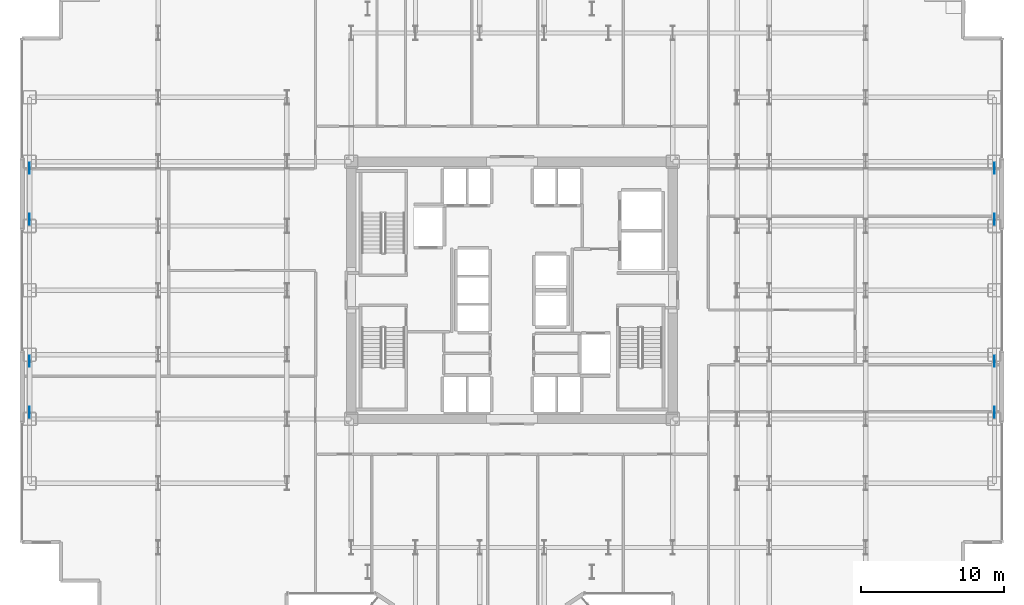
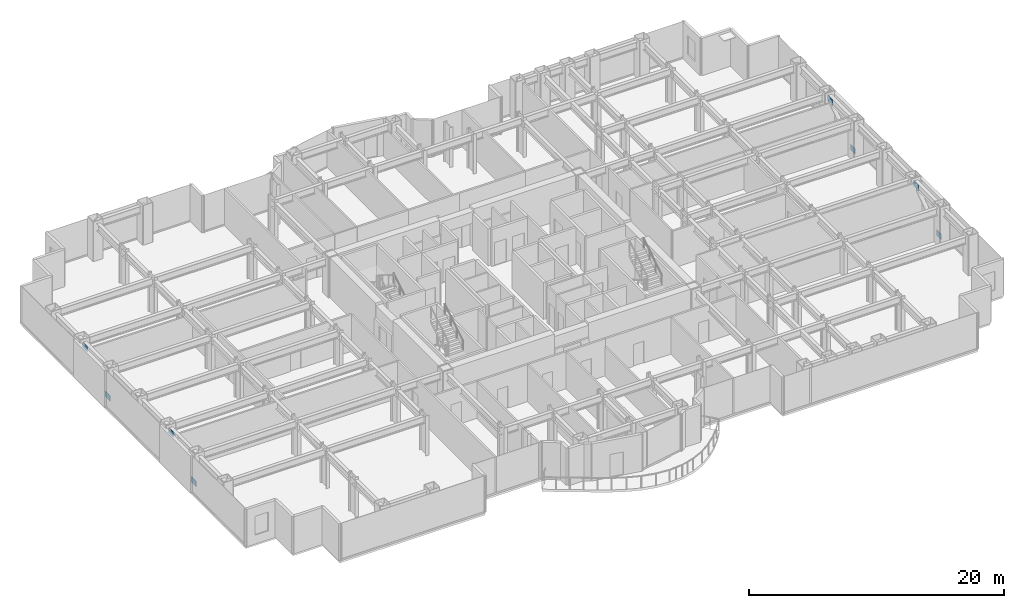
# One storey, part 21 of 29: 8 plates.
"""IFC4 building model written with IfcOpenShell, lengths in metres."""

from ifc_helpers import new_model, si_unit, direction, frame, origin, origin_2d, place, context, subcontext, project, spatial, rectangle, extrude, source, transform, mapped, material, layer, layer_set, type_object, element, save


model = new_model("IFC4")

# Units and contexts
model_context = context("Model", 3, precision=1e-05, world=origin(), true_north=direction((0.0, 1.0)))
body_context = subcontext(model_context, "Body", "Model", "MODEL_VIEW")
ifc_project = project(units=[si_unit("LENGTHUNIT", "METRE"), si_unit("AREAUNIT", "SQUARE_METRE"), si_unit("VOLUMEUNIT", "CUBIC_METRE"), si_unit("PLANEANGLEUNIT", "RADIAN"), si_unit("MASSUNIT", "GRAM", prefix="KILO")], contexts=[model_context])

# Site, building, storey
site_placement = place(None, origin())
site = spatial("IfcSite", under=ifc_project, at=site_placement, CompositionType="ELEMENT")
building_placement = place(site_placement, origin())
building = spatial("IfcBuilding", under=site, at=building_placement, Name="Nefas-Gora Pilgrimage Tower", CompositionType="ELEMENT")
storey_placement = place(building_placement, frame((0.0, 0.0, 55.800048828125)))
storey = spatial("IfcBuildingStorey", under=building, at=storey_placement, Name="L12", CompositionType="ELEMENT", Elevation=55.800048828125)

# Plates
ifc_material = material(Name="Steel S460", Category="steel")
ifc_layer = layer(ifc_material, 0.048095703125)
ifc_layer_set = layer_set([ifc_layer], Name="Steel S460")
plate_type = type_object("IfcPlateType", Name="PLT-NODE-N07", PredefinedType="USERDEFINED", material=ifc_layer_set)
shared_shape = source(origin(), body_context, "Body", "SweptSolid", [
    extrude(rectangle(XDim=0.780029296875, YDim=0.0380859375, at=origin_2d()), origin(), (0.0, 0.0, 1.0), 0.5400390625),
])
for number, where, z_axis, x_axis, name in (
    (1, (-33.75, -8.537109375, 0.211181640625), (0.0, 0.0, 1.0), (0.0, 1.0, 0.0), "Structural Node Gusset Plate N07 (L12)"),
    (2, (-33.75, -4.962890625, 2.7685546875), (0.0, 0.0, 1.0), (0.0, 1.0, 0.0), "Structural Node Gusset Plate N07 (L12)"),
    (3, (-33.75, 4.962890625, 0.211181640625), (0.0, 0.0, 1.0), (0.0, 1.0, 0.0), "Structural Node Gusset Plate N07 (L12)"),
    (4, (-33.75, 8.537109375, 2.7685546875), (0.0, 0.0, 1.0), (0.0, 1.0, 0.0), "Structural Node Gusset Plate N07 (L12)"),
    (5, (33.75, -8.537109375, 0.211181640625), (0.0, 0.0, 1.0), (0.0, 1.0, 0.0), "Structural Node Gusset Plate N07 (L12)"),
    (6, (33.75, -4.962890625, 2.7685546875), (0.0, 0.0, 1.0), (0.0, 1.0, 0.0), "Structural Node Gusset Plate N07 (L12)"),
    (7, (33.75, 4.962890625, 0.211181640625), (0.0, 0.0, 1.0), (0.0, 1.0, 0.0), "Structural Node Gusset Plate N07 (L12)"),
    (8, (33.75, 8.537109375, 2.7685546875), (0.0, 0.0, 1.0), (0.0, 1.0, 0.0), "Structural Node Gusset Plate N07 (L12)"),
):
    element("IfcPlate", number, at=place(storey_placement, frame(where, z_axis=z_axis, x_axis=x_axis)), inside=storey, type_object=plate_type, Name=name, ObjectType="GUSSET_PLATE", PredefinedType="USERDEFINED", context=body_context, shape_type="MappedRepresentation", body=[
        mapped(shared_shape, transform((0.0, 0.0, 0.0), x_axis=(1.0, 0.0, 0.0), y_axis=(0.0, 1.0, 0.0), z_axis=(0.0, 0.0, 1.0), scale=1.0)),
    ])

save(model, "model.ifc")
